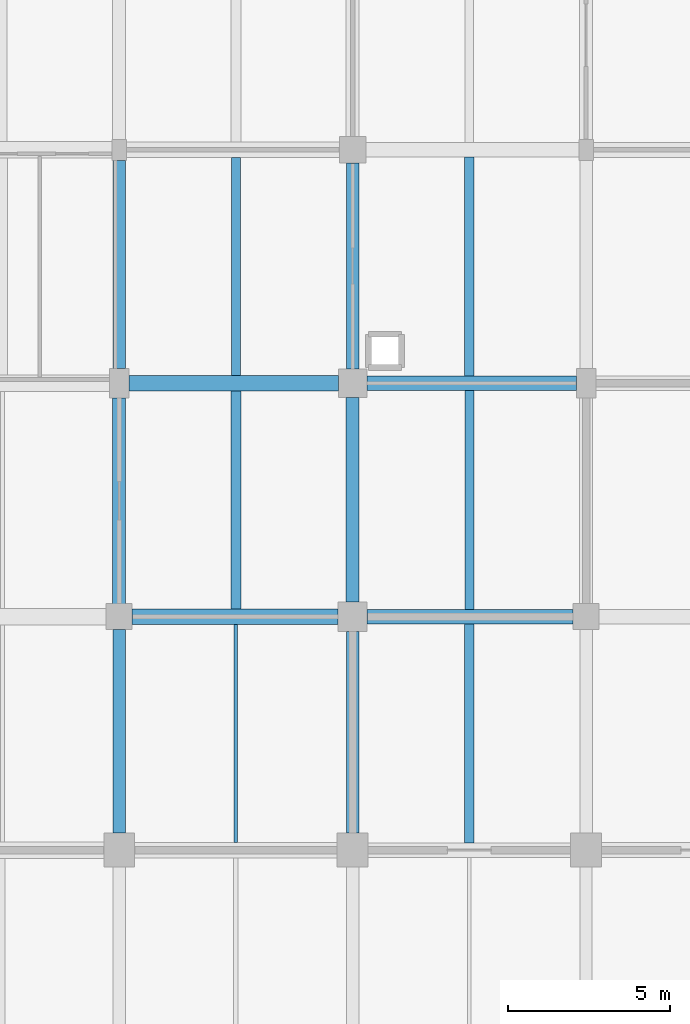
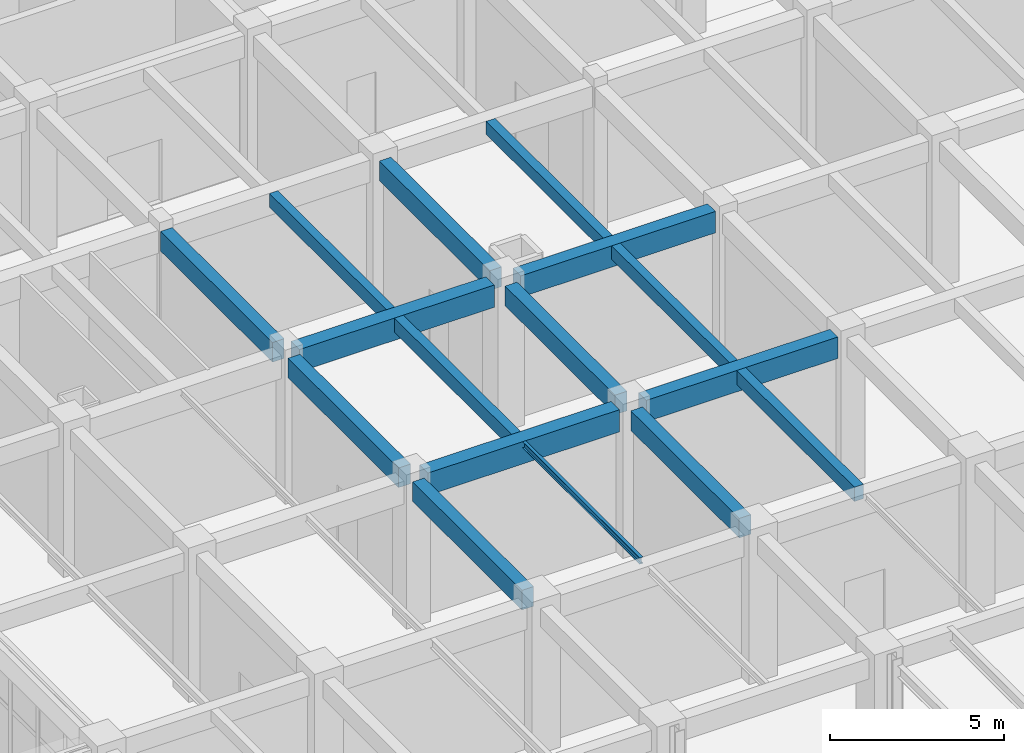
# One storey, part 98 of 160: 16 beams.
"""IFC4 building model written with IfcOpenShell, lengths in metres."""

from ifc_helpers import new_model, si_unit, direction, frame, origin, origin_2d, place, context, subcontext, project, spatial, rectangle, i_section, extrude, material, material_profile, profile_set, type_object, element, save


model = new_model("IFC4")

# Units and contexts
model_context = context("Model", 3, precision=1e-05, world=origin(), true_north=direction((0.0, 1.0)))
body_context = subcontext(model_context, "Body", "Model", "MODEL_VIEW")
ifc_project = project(units=[si_unit("LENGTHUNIT", "METRE"), si_unit("AREAUNIT", "SQUARE_METRE"), si_unit("VOLUMEUNIT", "CUBIC_METRE"), si_unit("PLANEANGLEUNIT", "RADIAN"), si_unit("MASSUNIT", "GRAM", prefix="KILO")], contexts=[model_context])

# Site, building, storey
site_placement = place(None, origin())
site = spatial("IfcSite", under=ifc_project, at=site_placement, CompositionType="ELEMENT")
building_placement = place(site_placement, origin())
building = spatial("IfcBuilding", under=site, at=building_placement, Name="Thalmaran Polytechnic", CompositionType="ELEMENT")
storey_placement = place(building_placement, origin())
storey = spatial("IfcBuildingStorey", under=building, at=storey_placement, Name="L00", CompositionType="ELEMENT", Elevation=0.0)

# Beams
ifc_material_1 = material(Name="Concrete C40/50", Category="concrete")
ifc_material_profile_1 = material_profile(ifc_material_1, rectangle(XDim=0.449951171875, YDim=0.75, at=origin_2d()), Name="RC 450x750")
ifc_profile_set_1 = profile_set([ifc_material_profile_1], Name="Concrete C40/50")
beam_type_1 = type_object("IfcBeamType", Name="BM-RC03", PredefinedType="BEAM", material=ifc_profile_set_1)
beam_1_placement = place(storey_placement, frame((151.64990234375, 64.800048828125, 4.715087890625), z_axis=(1.0, 0.0, 0.0), x_axis=(0.0, 1.0, 0.0)))
element("IfcBeam", 1, at=beam_1_placement, inside=storey, type_object=beam_type_1, Name="Grid Beam B03 L00 X(21,9)", PredefinedType="BEAM", context=body_context, shape_type="SweptSolid", body=[
    extrude(rectangle(XDim=0.449951171875, YDim=0.75, at=origin_2d()), origin(), (0.0, 0.0, 1.0), 6.35009765625),
])
beam_2_placement = place(storey_placement, frame((151.639892578125, 72.0, 4.715087890625), z_axis=(1.0, 0.0, 0.0), x_axis=(0.0, 1.0, 0.0)))
element("IfcBeam", 2, at=beam_2_placement, inside=storey, type_object=beam_type_1, Name="Grid Beam B03 L00 X(21,10)", PredefinedType="BEAM", context=body_context, shape_type="SweptSolid", body=[
    extrude(rectangle(XDim=0.449951171875, YDim=0.75, at=origin_2d()), origin(), (0.0, 0.0, 1.0), 6.460205078125),
])
ifc_material_profile_2 = material_profile(ifc_material_1, rectangle(XDim=0.389892578125, YDim=0.68505859375, at=origin_2d()), Name="RC 390x685")
ifc_profile_set_2 = profile_set([ifc_material_profile_2], Name="Concrete C40/50")
beam_type_2 = type_object("IfcBeamType", Name="BM-RC08", PredefinedType="BEAM", material=ifc_profile_set_2)
beam_3_placement = place(storey_placement, frame((144.0, 58.125, 4.74755859375), z_axis=(0.0, 1.0, 0.0), x_axis=(-1.0, 0.0, 0.0)))
element("IfcBeam", 3, at=beam_3_placement, inside=storey, type_object=beam_type_2, Name="Grid Beam B08 L00 Y(20,8)", PredefinedType="BEAM", context=body_context, shape_type="SweptSolid", body=[
    extrude(rectangle(XDim=0.389892578125, YDim=0.68505859375, at=origin_2d()), origin(), (0.0, 0.0, 1.0), 6.27490234375),
])
beam_4_placement = place(storey_placement, frame((151.199951171875, 58.125, 4.74755859375), z_axis=(0.0, 1.0, 0.0), x_axis=(-1.0, 0.0, 0.0)))
element("IfcBeam", 4, at=beam_4_placement, inside=storey, type_object=beam_type_2, Name="Grid Beam B08 L00 Y(21,8)", PredefinedType="BEAM", context=body_context, shape_type="SweptSolid", body=[
    extrude(rectangle(XDim=0.389892578125, YDim=0.68505859375, at=origin_2d()), origin(), (0.0, 0.0, 1.0), 6.22509765625),
])
ifc_material_profile_3 = material_profile(ifc_material_1, rectangle(XDim=0.389892578125, YDim=0.68994140625, at=origin_2d()), Name="RC 390x690")
ifc_profile_set_3 = profile_set([ifc_material_profile_3], Name="Concrete C40/50")
beam_type_3 = type_object("IfcBeamType", Name="BM-RC09", PredefinedType="BEAM", material=ifc_profile_set_3)
beam_5_placement = place(storey_placement, frame((144.0, 72.449951171875, 4.7451171875), z_axis=(0.0, 1.0, 0.0), x_axis=(-1.0, 0.0, 0.0)))
element("IfcBeam", 5, at=beam_5_placement, inside=storey, type_object=beam_type_3, Name="Grid Beam B09 L00 Y(20,10)", PredefinedType="BEAM", context=body_context, shape_type="SweptSolid", body=[
    extrude(rectangle(XDim=0.389892578125, YDim=0.68994140625, at=origin_2d()), origin(), (0.0, 0.0, 1.0), 6.425048828125),
])
beam_6_placement = place(storey_placement, frame((151.199951171875, 72.43994140625, 4.7451171875), z_axis=(0.0, 1.0, 0.0), x_axis=(-1.0, 0.0, 0.0)))
element("IfcBeam", 6, at=beam_6_placement, inside=storey, type_object=beam_type_3, Name="Grid Beam B09 L00 Y(21,10)", PredefinedType="BEAM", context=body_context, shape_type="SweptSolid", body=[
    extrude(rectangle(XDim=0.389892578125, YDim=0.68994140625, at=origin_2d()), origin(), (0.0, 0.0, 1.0), 6.35009765625),
])
ifc_material_profile_4 = material_profile(ifc_material_1, rectangle(XDim=0.300048828125, YDim=0.5, at=origin_2d()), Name="RC 300x500")
ifc_profile_set_4 = profile_set([ifc_material_profile_4], Name="Concrete C40/50")
beam_type_4 = type_object("IfcBeamType", Name="BM-RC11", PredefinedType="JOIST", material=ifc_profile_set_4)
beam_7_placement = place(storey_placement, frame((147.60009765625, 65.0400390625, 4.840087890625), z_axis=(0.0, 1.0, 0.0), x_axis=(-1.0, 0.0, 0.0)))
element("IfcBeam", 7, at=beam_7_placement, inside=storey, type_object=beam_type_4, Name="Secondary Floor Rib RB01 L00 (20,9)", PredefinedType="JOIST", context=body_context, shape_type="SweptSolid", body=[
    extrude(rectangle(XDim=0.300048828125, YDim=0.5, at=origin_2d()), origin(), (0.0, 0.0, 1.0), 6.719970703125),
])
beam_8_placement = place(storey_placement, frame((154.800048828125, 57.824951171875, 4.840087890625), z_axis=(0.0, 1.0, 0.0), x_axis=(-1.0, 0.0, 0.0)))
element("IfcBeam", 8, at=beam_8_placement, inside=storey, type_object=beam_type_4, Name="Secondary Floor Rib RB01 L00 (21,8)", PredefinedType="JOIST", context=body_context, shape_type="SweptSolid", body=[
    extrude(rectangle(XDim=0.300048828125, YDim=0.5, at=origin_2d()), origin(), (0.0, 0.0, 1.0), 6.75),
])
ifc_material_profile_5 = material_profile(ifc_material_1, rectangle(XDim=0.300048828125, YDim=0.449951171875, at=origin_2d()), Name="RC 300x450")
ifc_profile_set_5 = profile_set([ifc_material_profile_5], Name="Concrete C40/50")
beam_type_5 = type_object("IfcBeamType", Name="BM-RC12", PredefinedType="JOIST", material=ifc_profile_set_5)
beam_9_placement = place(storey_placement, frame((154.800048828125, 72.22509765625, 4.864990234375), z_axis=(0.0, 1.0, 0.0), x_axis=(-1.0, 0.0, 0.0)))
element("IfcBeam", 9, at=beam_9_placement, inside=storey, type_object=beam_type_5, Name="Secondary Floor Rib RB02 L00 (21,10)", PredefinedType="JOIST", context=body_context, shape_type="SweptSolid", body=[
    extrude(rectangle(XDim=0.300048828125, YDim=0.449951171875, at=origin_2d()), origin(), (0.0, 0.0, 1.0), 6.75),
])
ifc_material_2 = material(Name="Steel S355", Category="steel")
ifc_material_profile_6 = material_profile(ifc_material_2, i_section(OverallWidth=0.110107421875, OverallDepth=0.219970703125, WebThickness=0.005859375, FlangeThickness=0.00927734375, at=origin_2d()), Name="IPE 220")
ifc_profile_set_6 = profile_set([ifc_material_profile_6], Name="Steel S355")
beam_type_6 = type_object("IfcBeamType", Name="BM-SJ04", PredefinedType="JOIST", material=ifc_profile_set_6)
beam_10_placement = place(storey_placement, frame((147.60009765625, 57.840087890625, 4.97998046875), z_axis=(0.0, 1.0, 0.0), x_axis=(-1.0, 0.0, 0.0)))
element("IfcBeam", 10, at=beam_10_placement, inside=storey, type_object=beam_type_6, Name="Secondary Floor Rib SJ04 L00 (20,8)", PredefinedType="JOIST", context=body_context, shape_type="SweptSolid", body=[
    extrude(i_section(OverallWidth=0.110107421875, OverallDepth=0.219970703125, WebThickness=0.005859375, FlangeThickness=0.00927734375, at=origin_2d()), origin(), (0.0, 0.0, 1.0), 6.719970703125),
])
ifc_material_profile_7 = material_profile(ifc_material_1, rectangle(XDim=0.47998046875, YDim=0.780029296875, at=origin_2d()), Name="RC 480x780")
ifc_profile_set_7 = profile_set([ifc_material_profile_7], Name="Concrete C40/50")
beam_type_7 = type_object("IfcBeamType", Name="BM-ZB01", PredefinedType="BEAM", material=ifc_profile_set_7)
beam_11_placement = place(storey_placement, frame((144.39990234375, 64.800048828125, 4.699951171875), z_axis=(1.0, 0.0, 0.0), x_axis=(0.0, 1.0, 0.0)))
element("IfcBeam", 11, at=beam_11_placement, inside=storey, type_object=beam_type_7, Name="Grid Beam ZB01 L00 X(20,9)", PredefinedType="BEAM", context=body_context, shape_type="SweptSolid", body=[
    extrude(rectangle(XDim=0.47998046875, YDim=0.780029296875, at=origin_2d()), origin(), (0.0, 0.0, 1.0), 6.35009765625),
])
beam_12_placement = place(storey_placement, frame((144.300048828125, 72.0, 4.699951171875), z_axis=(1.0, 0.0, 0.0), x_axis=(0.0, 1.0, 0.0)))
element("IfcBeam", 12, at=beam_12_placement, inside=storey, type_object=beam_type_7, Name="Grid Beam ZB01 L00 X(20,10)", PredefinedType="BEAM", context=body_context, shape_type="SweptSolid", body=[
    extrude(rectangle(XDim=0.47998046875, YDim=0.780029296875, at=origin_2d()), origin(), (0.0, 0.0, 1.0), 6.4599609375),
])
ifc_material_profile_8 = material_profile(ifc_material_1, rectangle(XDim=0.39990234375, YDim=0.68505859375, at=origin_2d()), Name="RC 400x685")
ifc_profile_set_8 = profile_set([ifc_material_profile_8], Name="Concrete C40/50")
beam_type_8 = type_object("IfcBeamType", Name="BM-ZB07", PredefinedType="BEAM", material=ifc_profile_set_8)
beam_13_placement = place(storey_placement, frame((144.0, 65.199951171875, 4.74755859375), z_axis=(0.0, 1.0, 0.0), x_axis=(-1.0, 0.0, 0.0)))
element("IfcBeam", 13, at=beam_13_placement, inside=storey, type_object=beam_type_8, Name="Grid Beam ZB07 L00 Y(20,9)", PredefinedType="BEAM", context=body_context, shape_type="SweptSolid", body=[
    extrude(rectangle(XDim=0.39990234375, YDim=0.68505859375, at=origin_2d()), origin(), (0.0, 0.0, 1.0), 6.35009765625),
])
beam_14_placement = place(storey_placement, frame((151.199951171875, 65.25, 4.74755859375), z_axis=(0.0, 1.0, 0.0), x_axis=(-1.0, 0.0, 0.0)))
element("IfcBeam", 14, at=beam_14_placement, inside=storey, type_object=beam_type_8, Name="Grid Beam ZB07 L00 Y(21,9)", PredefinedType="BEAM", context=body_context, shape_type="SweptSolid", body=[
    extrude(rectangle(XDim=0.39990234375, YDim=0.68505859375, at=origin_2d()), origin(), (0.0, 0.0, 1.0), 6.31005859375),
])
ifc_material_profile_9 = material_profile(ifc_material_1, rectangle(XDim=0.280029296875, YDim=0.47998046875, at=origin_2d()), Name="RC 280x480")
ifc_profile_set_9 = profile_set([ifc_material_profile_9], Name="Concrete C40/50")
beam_type_9 = type_object("IfcBeamType", Name="BM-ZJ01", PredefinedType="JOIST", material=ifc_profile_set_9)
beam_15_placement = place(storey_placement, frame((147.60009765625, 72.239990234375, 4.85009765625), z_axis=(0.0, 1.0, 0.0), x_axis=(-1.0, 0.0, 0.0)))
element("IfcBeam", 15, at=beam_15_placement, inside=storey, type_object=beam_type_9, Name="Secondary Floor Rib ZJ01 L00 (20,10)", PredefinedType="JOIST", context=body_context, shape_type="SweptSolid", body=[
    extrude(rectangle(XDim=0.280029296875, YDim=0.47998046875, at=origin_2d()), origin(), (0.0, 0.0, 1.0), 6.719970703125),
])
beam_16_placement = place(storey_placement, frame((154.800048828125, 65.02490234375, 4.85009765625), z_axis=(0.0, 1.0, 0.0), x_axis=(-1.0, 0.0, 0.0)))
element("IfcBeam", 16, at=beam_16_placement, inside=storey, type_object=beam_type_9, Name="Secondary Floor Rib ZJ01 L00 (21,9)", PredefinedType="JOIST", context=body_context, shape_type="SweptSolid", body=[
    extrude(rectangle(XDim=0.280029296875, YDim=0.47998046875, at=origin_2d()), origin(), (0.0, 0.0, 1.0), 6.75),
])

save(model, "model.ifc")
